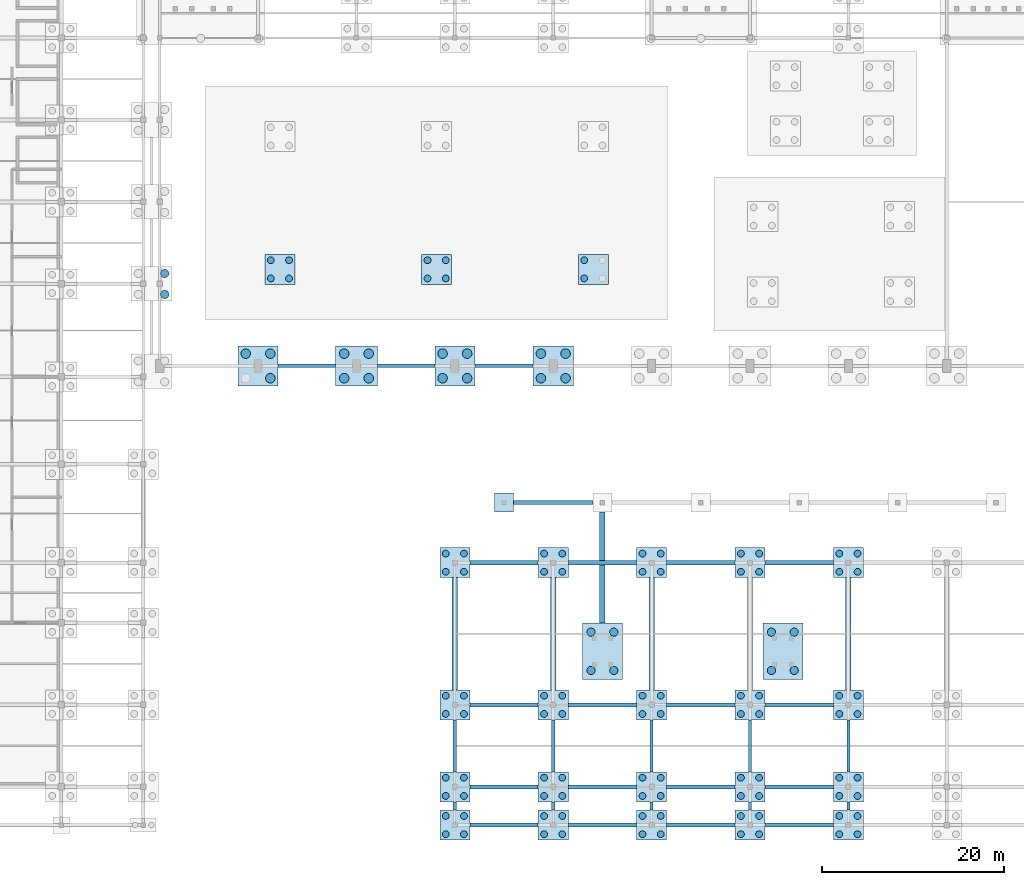
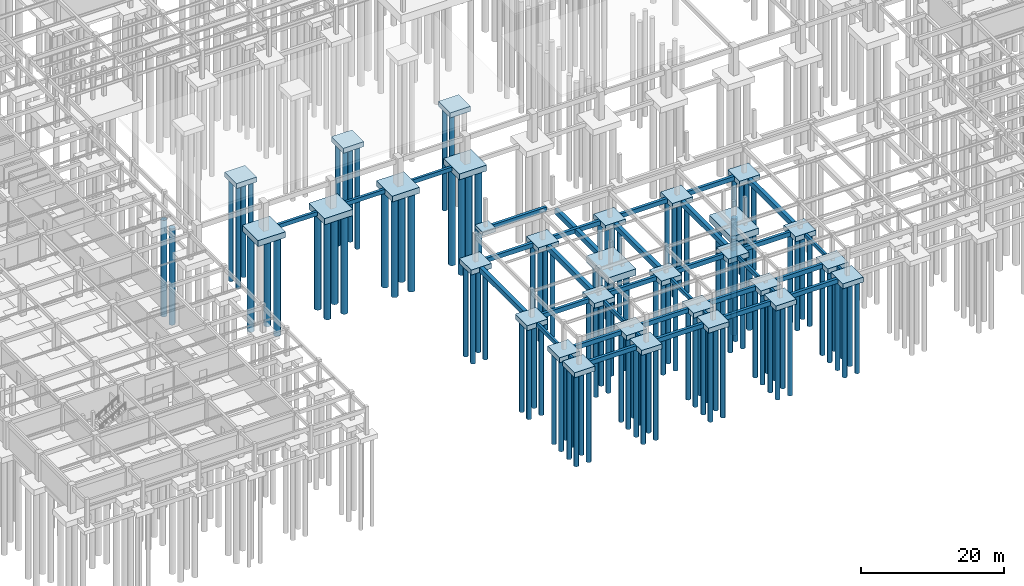
# One storey, part 3 of 33: 115 piles, 66 footings.
"""IFC4 building model written with IfcOpenShell, lengths in metres."""

import ifcopenshell
import ifcopenshell.guid

model = None  # the IFC model being written
_history = None  # IfcOwnerHistory: only IFC2X3 demands one
_inside = {}  # id of a spatial element -> (the spatial element, [elements in it])
_under = {}  # id of a project, library or spatial element -> (it, [spatial elements below it])
_declared = {}  # id of a project -> (the project, [libraries it declares])
_typed = {}  # id of a type object -> (the type object, [elements of that type])
_made_of = {}  # id of a material, layer set ... -> (it, [elements and type objects made of it])


def new_model(schema):
    """Start an empty IFC model of exactly this schema.

    Asked for "IFC4X3", IfcOpenShell would pick the latest addendum, in which some entities
    have other attributes; the version numbers below select the first issue.
    IFC2X3 requires an IfcOwnerHistory on every rooted entity: one is made here for all.
    """
    global model, _history
    if schema == "IFC4X3":
        model = ifcopenshell.file(schema_version=(4, 3, 0, 0))
    else:
        model = ifcopenshell.file(schema=schema)
    _inside.clear()
    _under.clear()
    _declared.clear()
    _typed.clear()
    _made_of.clear()
    _history = None
    if model.schema == "IFC2X3":
        org = make("IfcOrganization", Name="unknown")
        user = make(
            "IfcPersonAndOrganization",
            ThePerson=make("IfcPerson", FamilyName="unknown"),
            TheOrganization=org,
        )
        app = make(
            "IfcApplication",
            ApplicationDeveloper=org,
            Version="unknown",
            ApplicationFullName="unknown",
            ApplicationIdentifier="unknown",
        )
        _history = make(
            "IfcOwnerHistory",
            OwningUser=user,
            OwningApplication=app,
            ChangeAction="ADDED",
            CreationDate=0,
        )
    return model


def make(cls, **values):
    """One entity of the class cls with the attributes given. An attribute that is None is left unset."""
    return model.create_entity(
        cls, **{name: value for name, value in values.items() if value is not None}
    )


def rooted(cls, **values):
    """An entity with a GlobalId (a new one), such as an element, a storey or a relation."""
    return make(cls, GlobalId=ifcopenshell.guid.new(), OwnerHistory=_history, **values)


def si_unit(unit_type, name, prefix=None):
    """IfcSIUnit, for example si_unit("LENGTHUNIT", "METRE", prefix="MILLI")."""
    return make("IfcSIUnit", UnitType=unit_type, Prefix=prefix, Name=name)


def assignment(units):
    """IfcUnitAssignment: the units of a project."""
    return None if units is None else make("IfcUnitAssignment", Units=units)


def point(xyz):
    """IfcCartesianPoint."""
    return None if xyz is None else make("IfcCartesianPoint", Coordinates=xyz)


def direction(xyz):
    """IfcDirection."""
    return None if xyz is None else make("IfcDirection", DirectionRatios=xyz)


def frame(location, z_axis=None, x_axis=None):
    """IfcAxis2Placement3D, a coordinate frame: its origin and axes. An axis left out is left unset."""
    return make(
        "IfcAxis2Placement3D",
        Location=point(location),
        Axis=direction(z_axis),
        RefDirection=direction(x_axis),
    )


def frame_2d(location, x_axis=None):
    """IfcAxis2Placement2D, a coordinate frame in the plane: its origin and x axis."""
    return make(
        "IfcAxis2Placement2D", Location=point(location), RefDirection=direction(x_axis)
    )


def origin():
    """The frame at (0, 0, 0) with its axes left unset."""
    return frame((0.0, 0.0, 0.0))


def origin_2d():
    """The frame at (0, 0) in the plane with its x axis left unset."""
    return frame_2d((0.0, 0.0))


def place(relative_to, where):
    """IfcLocalPlacement: puts the frame where relative to a parent placement (None: the world)."""
    return make(
        "IfcLocalPlacement", PlacementRelTo=relative_to, RelativePlacement=where
    )


def context(
    kind, dimensions, precision=None, world=None, true_north=None, identifier=None
):
    """IfcGeometricRepresentationContext, for example the 3D "Model" context."""
    return make(
        "IfcGeometricRepresentationContext",
        ContextIdentifier=identifier,
        ContextType=kind,
        CoordinateSpaceDimension=dimensions,
        Precision=precision,
        WorldCoordinateSystem=world,
        TrueNorth=true_north,
    )


def subcontext(parent, identifier, kind, view, scale=None):
    """IfcGeometricRepresentationSubContext, for example "Body" below "Model"."""
    return make(
        "IfcGeometricRepresentationSubContext",
        ContextIdentifier=identifier,
        ContextType=kind,
        ParentContext=parent,
        TargetScale=scale,
        TargetView=view,
    )


def project(units=None, contexts=None):
    """IfcProject with its units and contexts."""
    return rooted(
        "IfcProject",
        Name="project",
        RepresentationContexts=contexts,
        UnitsInContext=assignment(units),
    )


def spatial(cls, under=None, at=None, **own):
    """A site, building, storey or space (cls), placed at a placement, below another one or the project."""
    s = rooted(cls, ObjectPlacement=at, **own)
    if under is not None:
        _under.setdefault(under.id(), (under, []))[1].append(s)
    return s


def profile(cls, at=None, kind="AREA", **sizes):
    """A parametric profile (cls). Its sizes go by their IFC names, for example OverallWidth=200.0."""
    return make(cls, ProfileType=kind, Position=at, **sizes)


def rectangle(**sizes):
    """IfcRectangleProfileDef."""
    return profile("IfcRectangleProfileDef", **sizes)


def circle(**sizes):
    """IfcCircleProfileDef."""
    return profile("IfcCircleProfileDef", **sizes)


def extrude(swept, where, along, depth):
    """IfcExtrudedAreaSolid: the profile swept, set in the frame where, extruded along a direction by depth."""
    return make(
        "IfcExtrudedAreaSolid",
        SweptArea=swept,
        Position=where,
        ExtrudedDirection=direction(along),
        Depth=depth,
    )


def shape(context_of_items, identifier, shape_type, items):
    """IfcShapeRepresentation: the items that make up one representation, for example the "Body"."""
    return make(
        "IfcShapeRepresentation",
        ContextOfItems=context_of_items,
        RepresentationIdentifier=identifier,
        RepresentationType=shape_type,
        Items=items,
    )


def material(Name=None, Category=None):
    """IfcMaterial."""
    return make("IfcMaterial", Name=Name, Category=Category)


def material_profile(
    of_material, cross_section, Name=None, Category=None, Priority=None
):
    """IfcMaterialProfile: a cross section and its material."""
    return make(
        "IfcMaterialProfile",
        Name=Name,
        Material=of_material,
        Profile=cross_section,
        Priority=Priority,
        Category=Category,
    )


def profile_set(profiles, Name=None, composite=None):
    """IfcMaterialProfileSet."""
    return make(
        "IfcMaterialProfileSet",
        Name=Name,
        MaterialProfiles=profiles,
        CompositeProfile=composite,
    )


def made_of(thing, what):
    """Note that an element or type object is made of a material, layer set ...; save() writes the relation."""
    if what is not None:
        _made_of.setdefault(what.id(), (what, []))[1].append(thing)
    return thing


def type_object(cls, material=None, **own):
    """A type object (cls), such as IfcWallType, which elements share."""
    return made_of(rooted(cls, **own), material)


def element(
    cls,
    number,
    at=None,
    inside=None,
    cuts=None,
    type_object=None,
    material=None,
    context=None,
    identifier="Body",
    shape_type=None,
    held_by="IfcProductDefinitionShape",
    body=None,
    shapes=None,
    **own,
):
    """One element of the class cls, such as IfcWall. Its Tag is "e" and its number.

    at: its placement. inside: the storey or other place that contains it. cuts: it is an
    opening in that element (IfcRelVoidsElement). A single representation is given by context,
    identifier, shape_type and body (its items); several are given by shapes. held_by: the class
    of the entity that holds the representations. save() writes the other relations.
    """
    e = rooted(cls, Tag="e%d" % number, ObjectPlacement=at, **own)
    if body is not None:
        shapes = [shape(context, identifier, shape_type, body)]
    if shapes is not None:
        e.Representation = make(held_by, Representations=shapes)
    if inside is not None:
        _inside.setdefault(inside.id(), (inside, []))[1].append(e)
    if cuts is not None:
        rooted(
            "IfcRelVoidsElement", RelatingBuildingElement=cuts, RelatedOpeningElement=e
        )
    if type_object is not None:
        _typed.setdefault(type_object.id(), (type_object, []))[1].append(e)
    return made_of(e, material)


def aggregate(whole, parts):
    """IfcRelAggregates: a whole, such as a stair, and the parts it consists of."""
    return rooted("IfcRelAggregates", RelatingObject=whole, RelatedObjects=parts)


def save(model, path):
    """Write the relations noted so far, then the file.

    IfcRelAggregates (storeys below a building ...), IfcRelContainedInSpatialStructure (elements
    in a storey), IfcRelDefinesByType, IfcRelAssociatesMaterial and IfcRelDeclares: one each for
    every whole, place, type object, material and project.
    """
    for whole, parts in _under.values():
        aggregate(whole, parts)
    for where, things in _inside.values():
        rooted(
            "IfcRelContainedInSpatialStructure",
            RelatedElements=things,
            RelatingStructure=where,
        )
    for kind, things in _typed.values():
        rooted("IfcRelDefinesByType", RelatedObjects=things, RelatingType=kind)
    for what, things in _made_of.values():
        rooted("IfcRelAssociatesMaterial", RelatedObjects=things, RelatingMaterial=what)
    for by, libraries in _declared.values():
        rooted("IfcRelDeclares", RelatingContext=by, RelatedDefinitions=libraries)
    model.write(path)


model = new_model("IFC4")

# Units and contexts
model_context = context("Model", 3, precision=1e-05, world=origin(), true_north=direction((0.0, 1.0)))
body_context = subcontext(model_context, "Body", "Model", "MODEL_VIEW")
ifc_project = project(units=[si_unit("LENGTHUNIT", "METRE"), si_unit("AREAUNIT", "SQUARE_METRE"), si_unit("VOLUMEUNIT", "CUBIC_METRE"), si_unit("PLANEANGLEUNIT", "RADIAN"), si_unit("MASSUNIT", "GRAM", prefix="KILO")], contexts=[model_context])

# Site, building, storey
site_placement = place(None, origin())
site = spatial("IfcSite", under=ifc_project, at=site_placement, CompositionType="ELEMENT")
building_placement = place(site_placement, origin())
building = spatial("IfcBuilding", under=site, at=building_placement, Name="Suirenkawa Promenade Aquatics Centre", CompositionType="ELEMENT")
storey_placement = place(building_placement, frame((0.0, 0.0, -4.800048828125)))
storey = spatial("IfcBuildingStorey", under=building, at=storey_placement, Name="B1", CompositionType="ELEMENT", Elevation=-4.800048828125)

# Footings
ifc_material = material(Name="Concrete M35", Category="concrete")
footing_type_1 = type_object("IfcFootingType", Name="FT-GB-350x650", PredefinedType="FOOTING_BEAM", material=ifc_material)
footing_1_placement = place(storey_placement, frame((79.199951171875, 2.10009765625, -0.64990234375), z_axis=(0.0, 0.0, 1.0), x_axis=(0.0, 1.0, 0.0)))
element("IfcFooting", 1, at=footing_1_placement, inside=storey, type_object=footing_type_1, Name="Ground tie beam GB-06 GB-0242", PredefinedType="FOOTING_BEAM", context=body_context, shape_type="SweptSolid", body=[
    extrude(rectangle(XDim=0.89990234375, YDim=0.35009765625, at=origin_2d()), origin(), (0.0, 0.0, 1.0), 0.64990234375),
])
footing_2_placement = place(storey_placement, frame((79.199951171875, 8.699951171875, -0.64990234375), z_axis=(0.0, 0.0, 1.0), x_axis=(0.0, 1.0, 0.0)))
element("IfcFooting", 2, at=footing_2_placement, inside=storey, type_object=footing_type_1, Name="Ground tie beam GB-06 GB-0243", PredefinedType="FOOTING_BEAM", context=body_context, shape_type="SweptSolid", body=[
    extrude(rectangle(XDim=5.699951171875, YDim=0.35009765625, at=origin_2d()), origin(), (0.0, 0.0, 1.0), 0.64990234375),
])
footing_3_placement = place(storey_placement, frame((90.0, 2.10009765625, -0.64990234375), z_axis=(0.0, 0.0, 1.0), x_axis=(0.0, 1.0, 0.0)))
element("IfcFooting", 3, at=footing_3_placement, inside=storey, type_object=footing_type_1, Name="Ground tie beam GB-06 GB-0249", PredefinedType="FOOTING_BEAM", context=body_context, shape_type="SweptSolid", body=[
    extrude(rectangle(XDim=0.89990234375, YDim=0.35009765625, at=origin_2d()), origin(), (0.0, 0.0, 1.0), 0.64990234375),
])
footing_4_placement = place(storey_placement, frame((90.0, 8.699951171875, -0.64990234375), z_axis=(0.0, 0.0, 1.0), x_axis=(0.0, 1.0, 0.0)))
element("IfcFooting", 4, at=footing_4_placement, inside=storey, type_object=footing_type_1, Name="Ground tie beam GB-06 GB-0250", PredefinedType="FOOTING_BEAM", context=body_context, shape_type="SweptSolid", body=[
    extrude(rectangle(XDim=5.699951171875, YDim=0.35009765625, at=origin_2d()), origin(), (0.0, 0.0, 1.0), 0.64990234375),
])
footing_5_placement = place(storey_placement, frame((100.800048828125, 2.10009765625, -0.64990234375), z_axis=(0.0, 0.0, 1.0), x_axis=(0.0, 1.0, 0.0)))
element("IfcFooting", 5, at=footing_5_placement, inside=storey, type_object=footing_type_1, Name="Ground tie beam GB-06 GB-0257", PredefinedType="FOOTING_BEAM", context=body_context, shape_type="SweptSolid", body=[
    extrude(rectangle(XDim=0.89990234375, YDim=0.35009765625, at=origin_2d()), origin(), (0.0, 0.0, 1.0), 0.64990234375),
])
footing_6_placement = place(storey_placement, frame((100.800048828125, 8.699951171875, -0.64990234375), z_axis=(0.0, 0.0, 1.0), x_axis=(0.0, 1.0, 0.0)))
element("IfcFooting", 6, at=footing_6_placement, inside=storey, type_object=footing_type_1, Name="Ground tie beam GB-06 GB-0258", PredefinedType="FOOTING_BEAM", context=body_context, shape_type="SweptSolid", body=[
    extrude(rectangle(XDim=5.699951171875, YDim=0.35009765625, at=origin_2d()), origin(), (0.0, 0.0, 1.0), 0.64990234375),
])
footing_7_placement = place(storey_placement, frame((111.60009765625, 2.10009765625, -0.64990234375), z_axis=(0.0, 0.0, 1.0), x_axis=(0.0, 1.0, 0.0)))
element("IfcFooting", 7, at=footing_7_placement, inside=storey, type_object=footing_type_1, Name="Ground tie beam GB-06 GB-0262", PredefinedType="FOOTING_BEAM", context=body_context, shape_type="SweptSolid", body=[
    extrude(rectangle(XDim=0.89990234375, YDim=0.35009765625, at=origin_2d()), origin(), (0.0, 0.0, 1.0), 0.64990234375),
])
footing_8_placement = place(storey_placement, frame((111.60009765625, 8.699951171875, -0.64990234375), z_axis=(0.0, 0.0, 1.0), x_axis=(0.0, 1.0, 0.0)))
element("IfcFooting", 8, at=footing_8_placement, inside=storey, type_object=footing_type_1, Name="Ground tie beam GB-06 GB-0263", PredefinedType="FOOTING_BEAM", context=body_context, shape_type="SweptSolid", body=[
    extrude(rectangle(XDim=5.699951171875, YDim=0.35009765625, at=origin_2d()), origin(), (0.0, 0.0, 1.0), 0.64990234375),
])
footing_9_placement = place(storey_placement, frame((122.39990234375, 2.10009765625, -0.64990234375), z_axis=(0.0, 0.0, 1.0), x_axis=(0.0, 1.0, 0.0)))
element("IfcFooting", 9, at=footing_9_placement, inside=storey, type_object=footing_type_1, Name="Ground tie beam GB-06 GB-0267", PredefinedType="FOOTING_BEAM", context=body_context, shape_type="SweptSolid", body=[
    extrude(rectangle(XDim=0.89990234375, YDim=0.35009765625, at=origin_2d()), origin(), (0.0, 0.0, 1.0), 0.64990234375),
])
footing_10_placement = place(storey_placement, frame((122.39990234375, 8.699951171875, -0.64990234375), z_axis=(0.0, 0.0, 1.0), x_axis=(0.0, 1.0, 0.0)))
element("IfcFooting", 10, at=footing_10_placement, inside=storey, type_object=footing_type_1, Name="Ground tie beam GB-06 GB-0268", PredefinedType="FOOTING_BEAM", context=body_context, shape_type="SweptSolid", body=[
    extrude(rectangle(XDim=5.699951171875, YDim=0.35009765625, at=origin_2d()), origin(), (0.0, 0.0, 1.0), 0.64990234375),
])
footing_type_2 = type_object("IfcFootingType", Name="FT-GB-400x700", PredefinedType="FOOTING_BEAM", material=ifc_material)
for number, where, z_axis, x_axis, name in (
    (11, (62.949951171875, 50.39990234375, -0.69970703125), (0.0, 0.0, 1.0), (1.0, 0.0, 0.0), "Ground tie beam GB-01 GB-0088"),
    (12, (73.85009765625, 50.39990234375, -0.69970703125), (0.0, 0.0, 1.0), (1.0, 0.0, 0.0), "Ground tie beam GB-01 GB-0089"),
):
    element("IfcFooting", number, at=place(storey_placement, frame(where, z_axis=z_axis, x_axis=x_axis)), inside=storey, type_object=footing_type_2, Name=name, PredefinedType="FOOTING_BEAM", context=body_context, shape_type="SweptSolid", body=[
        extrude(rectangle(XDim=6.300048828125, YDim=0.39990234375, at=origin_2d()), origin(), (0.0, 0.0, 1.0), 0.699951171875),
    ])
footing_11_placement = place(storey_placement, frame((84.60009765625, 50.39990234375, -0.69970703125), z_axis=(0.0, 0.0, 1.0), x_axis=(1.0, 0.0, 0.0)))
element("IfcFooting", 13, at=footing_11_placement, inside=storey, type_object=footing_type_2, Name="Ground tie beam GB-01 GB-0090", PredefinedType="FOOTING_BEAM", context=body_context, shape_type="SweptSolid", body=[
    extrude(rectangle(XDim=6.39990234375, YDim=0.39990234375, at=origin_2d()), origin(), (0.0, 0.0, 1.0), 0.699951171875),
])
footing_type_3 = type_object("IfcFootingType", Name="FT-GB-450x750", PredefinedType="FOOTING_BEAM", material=ifc_material)
for number, where, z_axis, x_axis, name in (
    (14, (84.60009765625, 0.0, -0.75), (0.0, 0.0, 1.0), (1.0, 0.0, 0.0), "Ground tie beam GB-02 GB-0006"),
    (15, (95.39990234375, 0.0, -0.75), (0.0, 0.0, 1.0), (1.0, 0.0, 0.0), "Ground tie beam GB-02 GB-0007"),
    (16, (106.199951171875, 0.0, -0.75), (0.0, 0.0, 1.0), (1.0, 0.0, 0.0), "Ground tie beam GB-02 GB-0008"),
    (17, (117.0, 0.0, -0.75), (0.0, 0.0, 1.0), (1.0, 0.0, 0.0), "Ground tie beam GB-02 GB-0009"),
    (18, (84.60009765625, 4.199951171875, -0.75), (0.0, 0.0, 1.0), (1.0, 0.0, 0.0), "Ground tie beam GB-02 GB-0018"),
    (19, (95.39990234375, 4.199951171875, -0.75), (0.0, 0.0, 1.0), (1.0, 0.0, 0.0), "Ground tie beam GB-02 GB-0019"),
    (20, (106.199951171875, 4.199951171875, -0.75), (0.0, 0.0, 1.0), (1.0, 0.0, 0.0), "Ground tie beam GB-02 GB-0020"),
    (21, (117.0, 4.199951171875, -0.75), (0.0, 0.0, 1.0), (1.0, 0.0, 0.0), "Ground tie beam GB-02 GB-0021"),
    (22, (84.60009765625, 13.199951171875, -0.75), (0.0, 0.0, 1.0), (1.0, 0.0, 0.0), "Ground tie beam GB-02 GB-0034"),
    (23, (95.39990234375, 13.199951171875, -0.75), (0.0, 0.0, 1.0), (1.0, 0.0, 0.0), "Ground tie beam GB-02 GB-0035"),
    (24, (106.199951171875, 13.199951171875, -0.75), (0.0, 0.0, 1.0), (1.0, 0.0, 0.0), "Ground tie beam GB-02 GB-0036"),
    (25, (117.0, 13.199951171875, -0.75), (0.0, 0.0, 1.0), (1.0, 0.0, 0.0), "Ground tie beam GB-02 GB-0037"),
    (26, (84.60009765625, 28.800048828125, -0.75), (0.0, 0.0, 1.0), (1.0, 0.0, 0.0), "Ground tie beam GB-02 GB-0056"),
    (27, (95.39990234375, 28.800048828125, -0.75), (0.0, 0.0, 1.0), (1.0, 0.0, 0.0), "Ground tie beam GB-02 GB-0057"),
    (28, (106.199951171875, 28.800048828125, -0.75), (0.0, 0.0, 1.0), (1.0, 0.0, 0.0), "Ground tie beam GB-02 GB-0058"),
    (29, (117.0, 28.800048828125, -0.75), (0.0, 0.0, 1.0), (1.0, 0.0, 0.0), "Ground tie beam GB-02 GB-0059"),
):
    element("IfcFooting", number, at=place(storey_placement, frame(where, z_axis=z_axis, x_axis=x_axis)), inside=storey, type_object=footing_type_3, Name=name, PredefinedType="FOOTING_BEAM", context=body_context, shape_type="SweptSolid", body=[
        extrude(rectangle(XDim=7.5, YDim=0.449951171875, at=origin_2d()), origin(), (0.0, 0.0, 1.0), 0.75),
    ])
footing_12_placement = place(storey_placement, frame((90.0, 35.39990234375, -0.75), z_axis=(0.0, 0.0, 1.0), x_axis=(1.0, 0.0, 0.0)))
element("IfcFooting", 30, at=footing_12_placement, inside=storey, type_object=footing_type_3, Name="Ground tie beam GB-02 GB-0067", PredefinedType="FOOTING_BEAM", context=body_context, shape_type="SweptSolid", body=[
    extrude(rectangle(XDim=8.699951171875, YDim=0.449951171875, at=origin_2d()), origin(), (0.0, 0.0, 1.0), 0.75),
])
footing_type_4 = type_object("IfcFootingType", Name="FT-GB-600x900", PredefinedType="FOOTING_BEAM", material=ifc_material)
for number, where, z_axis, x_axis, name in (
    (31, (79.199951171875, 21.0, -0.89990234375), (0.0, 0.0, 1.0), (0.0, 1.0, 0.0), "Ground tie beam GB-05 GB-0244"),
    (32, (90.0, 21.0, -0.89990234375), (0.0, 0.0, 1.0), (0.0, 1.0, 0.0), "Ground tie beam GB-05 GB-0251"),
):
    element("IfcFooting", number, at=place(storey_placement, frame(where, z_axis=z_axis, x_axis=x_axis)), inside=storey, type_object=footing_type_4, Name=name, PredefinedType="FOOTING_BEAM", context=body_context, shape_type="SweptSolid", body=[
        extrude(rectangle(XDim=12.300048828125, YDim=0.60009765625, at=origin_2d()), origin(), (0.0, 0.0, 1.0), 0.89990234375),
    ])
footing_13_placement = place(storey_placement, frame((95.39990234375, 28.262451171875, -0.89990234375), z_axis=(0.0, 0.0, 1.0), x_axis=(0.0, 1.0, 0.0)))
element("IfcFooting", 33, at=footing_13_placement, inside=storey, type_object=footing_type_4, Name="Ground tie beam GB-05 GB-0256", PredefinedType="FOOTING_BEAM", context=body_context, shape_type="SweptSolid", body=[
    extrude(rectangle(XDim=12.175048828125, YDim=0.60009765625, at=origin_2d()), origin(), (0.0, 0.0, 1.0), 0.89990234375),
])
for number, where, z_axis, x_axis, name in (
    (34, (100.800048828125, 21.0, -0.89990234375), (0.0, 0.0, 1.0), (0.0, 1.0, 0.0), "Ground tie beam GB-05 GB-0259"),
    (35, (111.60009765625, 21.0, -0.89990234375), (0.0, 0.0, 1.0), (0.0, 1.0, 0.0), "Ground tie beam GB-05 GB-0264"),
    (36, (122.39990234375, 21.0, -0.89990234375), (0.0, 0.0, 1.0), (0.0, 1.0, 0.0), "Ground tie beam GB-05 GB-0269"),
):
    element("IfcFooting", number, at=place(storey_placement, frame(where, z_axis=z_axis, x_axis=x_axis)), inside=storey, type_object=footing_type_4, Name=name, PredefinedType="FOOTING_BEAM", context=body_context, shape_type="SweptSolid", body=[
        extrude(rectangle(XDim=12.300048828125, YDim=0.60009765625, at=origin_2d()), origin(), (0.0, 0.0, 1.0), 0.89990234375),
    ])
footing_type_5 = type_object("IfcFootingType", Name="FT-PAD-2100x2100x650", PredefinedType="PAD_FOOTING", material=ifc_material)
footing_14_placement = place(storey_placement, frame((84.60009765625, 35.39990234375, -0.64990234375), z_axis=(0.0, 0.0, 1.0), x_axis=(1.0, 0.0, 0.0)))
element("IfcFooting", 37, at=footing_14_placement, inside=storey, type_object=footing_type_5, Name="Foundation PF-02 CAP-082", PredefinedType="PAD_FOOTING", context=body_context, shape_type="SweptSolid", body=[
    extrude(rectangle(XDim=2.10009765625, YDim=2.10009765625, at=origin_2d()), origin(), (0.0, 0.0, 1.0), 0.64990234375),
])
footing_type_6 = type_object("IfcFootingType", Name="FT-PC-3300x3300x850", PredefinedType="PILE_CAP", material=ifc_material)
for number, where, z_axis, x_axis, name in (
    (38, (79.199951171875, 0.0, -0.85009765625), (0.0, 0.0, 1.0), (1.0, 0.0, 0.0), "Foundation PC-02 CAP-007"),
    (39, (90.0, 0.0, -0.85009765625), (0.0, 0.0, 1.0), (1.0, 0.0, 0.0), "Foundation PC-02 CAP-008"),
    (40, (100.800048828125, 0.0, -0.85009765625), (0.0, 0.0, 1.0), (1.0, 0.0, 0.0), "Foundation PC-02 CAP-009"),
    (41, (111.60009765625, 0.0, -0.85009765625), (0.0, 0.0, 1.0), (1.0, 0.0, 0.0), "Foundation PC-02 CAP-010"),
    (42, (122.39990234375, 0.0, -0.85009765625), (0.0, 0.0, 1.0), (1.0, 0.0, 0.0), "Foundation PC-02 CAP-011"),
    (43, (79.199951171875, 4.199951171875, -0.85009765625), (0.0, 0.0, 1.0), (1.0, 0.0, 0.0), "Foundation PC-02 CAP-021"),
    (44, (90.0, 4.199951171875, -0.85009765625), (0.0, 0.0, 1.0), (1.0, 0.0, 0.0), "Foundation PC-02 CAP-022"),
    (45, (100.800048828125, 4.199951171875, -0.85009765625), (0.0, 0.0, 1.0), (1.0, 0.0, 0.0), "Foundation PC-02 CAP-023"),
    (46, (111.60009765625, 4.199951171875, -0.85009765625), (0.0, 0.0, 1.0), (1.0, 0.0, 0.0), "Foundation PC-02 CAP-024"),
    (47, (122.39990234375, 4.199951171875, -0.85009765625), (0.0, 0.0, 1.0), (1.0, 0.0, 0.0), "Foundation PC-02 CAP-025"),
    (48, (79.199951171875, 13.199951171875, -0.85009765625), (0.0, 0.0, 1.0), (1.0, 0.0, 0.0), "Foundation PC-02 CAP-039"),
    (49, (90.0, 13.199951171875, -0.85009765625), (0.0, 0.0, 1.0), (1.0, 0.0, 0.0), "Foundation PC-02 CAP-040"),
    (50, (100.800048828125, 13.199951171875, -0.85009765625), (0.0, 0.0, 1.0), (1.0, 0.0, 0.0), "Foundation PC-02 CAP-041"),
    (51, (111.60009765625, 13.199951171875, -0.85009765625), (0.0, 0.0, 1.0), (1.0, 0.0, 0.0), "Foundation PC-02 CAP-042"),
    (52, (122.39990234375, 13.199951171875, -0.85009765625), (0.0, 0.0, 1.0), (1.0, 0.0, 0.0), "Foundation PC-02 CAP-043"),
    (53, (79.199951171875, 28.800048828125, -0.85009765625), (0.0, 0.0, 1.0), (1.0, 0.0, 0.0), "Foundation PC-02 CAP-070"),
    (54, (90.0, 28.800048828125, -0.85009765625), (0.0, 0.0, 1.0), (1.0, 0.0, 0.0), "Foundation PC-02 CAP-071"),
    (55, (100.800048828125, 28.800048828125, -0.85009765625), (0.0, 0.0, 1.0), (1.0, 0.0, 0.0), "Foundation PC-02 CAP-072"),
    (56, (111.60009765625, 28.800048828125, -0.85009765625), (0.0, 0.0, 1.0), (1.0, 0.0, 0.0), "Foundation PC-02 CAP-073"),
    (57, (122.39990234375, 28.800048828125, -0.85009765625), (0.0, 0.0, 1.0), (1.0, 0.0, 0.0), "Foundation PC-02 CAP-074"),
):
    element("IfcFooting", number, at=place(storey_placement, frame(where, z_axis=z_axis, x_axis=x_axis)), inside=storey, type_object=footing_type_6, Name=name, PredefinedType="PILE_CAP", context=body_context, shape_type="SweptSolid", body=[
        extrude(rectangle(XDim=3.300048828125, YDim=3.300048828125, at=origin_2d()), origin(), (0.0, 0.0, 1.0), 0.85009765625),
    ])
footing_type_7 = type_object("IfcFootingType", Name="FT-PC-4400x4400x1000", PredefinedType="PILE_CAP", material=ifc_material)
for number, where, z_axis, x_axis, name in (
    (58, (57.60009765625, 50.39990234375, -1.0), (0.0, 0.0, 1.0), (1.0, 0.0, 0.0), "Foundation PC-06 CAP-110"),
    (59, (79.199951171875, 50.39990234375, -1.0), (0.0, 0.0, 1.0), (1.0, 0.0, 0.0), "Foundation PC-06 CAP-112"),
    (60, (90.0, 50.39990234375, -1.0), (0.0, 0.0, 1.0), (1.0, 0.0, 0.0), "Foundation PC-06 CAP-113"),
):
    element("IfcFooting", number, at=place(storey_placement, frame(where, z_axis=z_axis, x_axis=x_axis)), inside=storey, type_object=footing_type_7, Name=name, PredefinedType="PILE_CAP", context=body_context, shape_type="SweptSolid", body=[
        extrude(rectangle(XDim=4.39990234375, YDim=4.39990234375, at=origin_2d()), origin(), (0.0, 0.0, 1.0), 1.0),
    ])
footing_type_8 = type_object("IfcFootingType", Name="FT-PC-4600x4400x1050", PredefinedType="PILE_CAP", material=ifc_material)
footing_15_placement = place(storey_placement, frame((68.39990234375, 50.39990234375, -1.0498046875), z_axis=(0.0, 0.0, 1.0), x_axis=(1.0, 0.0, 0.0)))
element("IfcFooting", 61, at=footing_15_placement, inside=storey, type_object=footing_type_8, Name="Foundation PC-07 CAP-111", PredefinedType="PILE_CAP", context=body_context, shape_type="SweptSolid", body=[
    extrude(rectangle(XDim=4.60009765625, YDim=4.39990234375, at=origin_2d()), origin(), (0.0, 0.0, 1.0), 1.050048828125),
])
footing_type_9 = type_object("IfcFootingType", Name="FT-PC-COMP-3300x3300x850", PredefinedType="PILE_CAP", material=ifc_material)
for number, where, z_axis, x_axis, name in (
    (62, (60.0, 61.0, 1.050048828125), (0.0, 0.0, 1.0), (1.0, 0.0, 0.0), "Foundation PC-08 CAP-223"),
    (63, (77.199951171875, 61.0, 1.050048828125), (0.0, 0.0, 1.0), (1.0, 0.0, 0.0), "Foundation PC-08 CAP-225"),
    (64, (94.39990234375, 61.0, 1.050048828125), (0.0, 0.0, 1.0), (1.0, 0.0, 0.0), "Foundation PC-08 CAP-227"),
):
    element("IfcFooting", number, at=place(storey_placement, frame(where, z_axis=z_axis, x_axis=x_axis)), inside=storey, type_object=footing_type_9, Name=name, PredefinedType="PILE_CAP", context=body_context, shape_type="SweptSolid", body=[
        extrude(rectangle(XDim=3.300048828125, YDim=3.300048828125, at=origin_2d()), origin(), (0.0, 0.0, 1.0), 0.85009765625),
    ])
footing_type_10 = type_object("IfcFootingType", Name="FT-PCC-4400x6200x1100", PredefinedType="PILE_CAP", material=ifc_material)
for number, where, z_axis, x_axis, name in (
    (65, (95.39990234375, 19.074951171875, -1.10009765625), (0.0, 0.0, 1.0), (1.0, 0.0, 0.0), "Foundation PCC-04 CAP-051"),
    (66, (115.199951171875, 19.074951171875, -1.10009765625), (0.0, 0.0, 1.0), (1.0, 0.0, 0.0), "Foundation PCC-04 CAP-052"),
):
    element("IfcFooting", number, at=place(storey_placement, frame(where, z_axis=z_axis, x_axis=x_axis)), inside=storey, type_object=footing_type_10, Name=name, PredefinedType="PILE_CAP", context=body_context, shape_type="SweptSolid", body=[
        extrude(rectangle(XDim=4.39990234375, YDim=6.199951171875, at=origin_2d()), origin(), (0.0, 0.0, 1.0), 1.10009765625),
    ])

# Piles
ifc_material_profile_1 = material_profile(ifc_material, circle(Radius=0.52490234375, at=origin_2d()), Name="PILE D1050", Category="concrete")
ifc_profile_set_1 = profile_set([ifc_material_profile_1], Name="Concrete M35")
pile_type_1 = type_object("IfcPileType", Name="PT-BORED-1050", PredefinedType="BORED", material=ifc_profile_set_1)
for number, where, z_axis, x_axis, name in (
    (67, (56.25, 51.75, -0.89990234375), (0.0, 0.0, -1.0), (1.0, 0.0, 0.0), "Bored pile PL-04 PL-0398"),
    (68, (58.949951171875, 49.050048828125, -0.89990234375), (0.0, 0.0, -1.0), (1.0, 0.0, 0.0), "Bored pile PL-04 PL-0399"),
    (69, (58.949951171875, 51.75, -0.89990234375), (0.0, 0.0, -1.0), (1.0, 0.0, 0.0), "Bored pile PL-04 PL-0400"),
    (70, (67.050048828125, 49.050048828125, -0.89990234375), (0.0, 0.0, -1.0), (1.0, 0.0, 0.0), "Bored pile PL-04 PL-0401"),
    (71, (67.050048828125, 51.75, -0.89990234375), (0.0, 0.0, -1.0), (1.0, 0.0, 0.0), "Bored pile PL-04 PL-0402"),
    (72, (69.75, 49.050048828125, -0.89990234375), (0.0, 0.0, -1.0), (1.0, 0.0, 0.0), "Bored pile PL-04 PL-0403"),
    (73, (69.75, 51.75, -0.89990234375), (0.0, 0.0, -1.0), (1.0, 0.0, 0.0), "Bored pile PL-04 PL-0404"),
    (74, (77.85009765625, 49.050048828125, -0.89990234375), (0.0, 0.0, -1.0), (1.0, 0.0, 0.0), "Bored pile PL-04 PL-0405"),
    (75, (77.85009765625, 51.75, -0.89990234375), (0.0, 0.0, -1.0), (1.0, 0.0, 0.0), "Bored pile PL-04 PL-0406"),
    (76, (80.550048828125, 49.050048828125, -0.89990234375), (0.0, 0.0, -1.0), (1.0, 0.0, 0.0), "Bored pile PL-04 PL-0407"),
    (77, (80.550048828125, 51.75, -0.89990234375), (0.0, 0.0, -1.0), (1.0, 0.0, 0.0), "Bored pile PL-04 PL-0408"),
    (78, (88.64990234375, 49.050048828125, -0.89990234375), (0.0, 0.0, -1.0), (1.0, 0.0, 0.0), "Bored pile PL-04 PL-0409"),
    (79, (88.64990234375, 51.75, -0.89990234375), (0.0, 0.0, -1.0), (1.0, 0.0, 0.0), "Bored pile PL-04 PL-0410"),
    (80, (91.35009765625, 49.050048828125, -0.89990234375), (0.0, 0.0, -1.0), (1.0, 0.0, 0.0), "Bored pile PL-04 PL-0411"),
    (81, (91.35009765625, 51.75, -0.89990234375), (0.0, 0.0, -1.0), (1.0, 0.0, 0.0), "Bored pile PL-04 PL-0412"),
):
    element("IfcPile", number, at=place(storey_placement, frame(where, z_axis=z_axis, x_axis=x_axis)), inside=storey, type_object=pile_type_1, Name=name, PredefinedType="BORED", context=body_context, shape_type="SweptSolid", body=[
        extrude(circle(Radius=0.52490234375, at=origin_2d()), origin(), (0.0, 0.0, 1.0), 16.800048828125),
    ])
ifc_material_profile_2 = material_profile(ifc_material, circle(Radius=0.375, at=origin_2d()), Name="PILE D750", Category="concrete")
ifc_profile_set_2 = profile_set([ifc_material_profile_2], Name="Concrete M35")
pile_type_2 = type_object("IfcPileType", Name="PT-BORED-750", PredefinedType="BORED", material=ifc_profile_set_2)
for number, where, z_axis, x_axis, name in (
    (82, (78.199951171875, -1.0, -0.75), (0.0, 0.0, -1.0), (1.0, 0.0, 0.0), "Bored pile PL-02 PL-0007"),
    (83, (78.199951171875, 1.0, -0.75), (0.0, 0.0, -1.0), (1.0, 0.0, 0.0), "Bored pile PL-02 PL-0008"),
    (84, (80.199951171875, -1.0, -0.75), (0.0, 0.0, -1.0), (1.0, 0.0, 0.0), "Bored pile PL-02 PL-0009"),
    (85, (80.199951171875, 1.0, -0.75), (0.0, 0.0, -1.0), (1.0, 0.0, 0.0), "Bored pile PL-02 PL-0010"),
    (86, (89.0, -1.0, -0.75), (0.0, 0.0, -1.0), (1.0, 0.0, 0.0), "Bored pile PL-02 PL-0011"),
    (87, (89.0, 1.0, -0.75), (0.0, 0.0, -1.0), (1.0, 0.0, 0.0), "Bored pile PL-02 PL-0012"),
    (88, (91.0, -1.0, -0.75), (0.0, 0.0, -1.0), (1.0, 0.0, 0.0), "Bored pile PL-02 PL-0013"),
    (89, (91.0, 1.0, -0.75), (0.0, 0.0, -1.0), (1.0, 0.0, 0.0), "Bored pile PL-02 PL-0014"),
    (90, (99.800048828125, -1.0, -0.75), (0.0, 0.0, -1.0), (1.0, 0.0, 0.0), "Bored pile PL-02 PL-0015"),
    (91, (99.800048828125, 1.0, -0.75), (0.0, 0.0, -1.0), (1.0, 0.0, 0.0), "Bored pile PL-02 PL-0016"),
    (92, (101.800048828125, -1.0, -0.75), (0.0, 0.0, -1.0), (1.0, 0.0, 0.0), "Bored pile PL-02 PL-0017"),
    (93, (101.800048828125, 1.0, -0.75), (0.0, 0.0, -1.0), (1.0, 0.0, 0.0), "Bored pile PL-02 PL-0018"),
    (94, (110.60009765625, -1.0, -0.75), (0.0, 0.0, -1.0), (1.0, 0.0, 0.0), "Bored pile PL-02 PL-0019"),
    (95, (110.60009765625, 1.0, -0.75), (0.0, 0.0, -1.0), (1.0, 0.0, 0.0), "Bored pile PL-02 PL-0020"),
    (96, (112.60009765625, -1.0, -0.75), (0.0, 0.0, -1.0), (1.0, 0.0, 0.0), "Bored pile PL-02 PL-0021"),
    (97, (112.60009765625, 1.0, -0.75), (0.0, 0.0, -1.0), (1.0, 0.0, 0.0), "Bored pile PL-02 PL-0022"),
    (98, (121.39990234375, -1.0, -0.75), (0.0, 0.0, -1.0), (1.0, 0.0, 0.0), "Bored pile PL-02 PL-0023"),
    (99, (121.39990234375, 1.0, -0.75), (0.0, 0.0, -1.0), (1.0, 0.0, 0.0), "Bored pile PL-02 PL-0024"),
    (100, (123.39990234375, -1.0, -0.75), (0.0, 0.0, -1.0), (1.0, 0.0, 0.0), "Bored pile PL-02 PL-0025"),
    (101, (123.39990234375, 1.0, -0.75), (0.0, 0.0, -1.0), (1.0, 0.0, 0.0), "Bored pile PL-02 PL-0026"),
    (102, (78.199951171875, 3.199951171875, -0.75), (0.0, 0.0, -1.0), (1.0, 0.0, 0.0), "Bored pile PL-02 PL-0063"),
    (103, (78.199951171875, 5.199951171875, -0.75), (0.0, 0.0, -1.0), (1.0, 0.0, 0.0), "Bored pile PL-02 PL-0064"),
    (104, (80.199951171875, 3.199951171875, -0.75), (0.0, 0.0, -1.0), (1.0, 0.0, 0.0), "Bored pile PL-02 PL-0065"),
    (105, (80.199951171875, 5.199951171875, -0.75), (0.0, 0.0, -1.0), (1.0, 0.0, 0.0), "Bored pile PL-02 PL-0066"),
    (106, (89.0, 3.199951171875, -0.75), (0.0, 0.0, -1.0), (1.0, 0.0, 0.0), "Bored pile PL-02 PL-0067"),
    (107, (89.0, 5.199951171875, -0.75), (0.0, 0.0, -1.0), (1.0, 0.0, 0.0), "Bored pile PL-02 PL-0068"),
    (108, (91.0, 3.199951171875, -0.75), (0.0, 0.0, -1.0), (1.0, 0.0, 0.0), "Bored pile PL-02 PL-0069"),
    (109, (91.0, 5.199951171875, -0.75), (0.0, 0.0, -1.0), (1.0, 0.0, 0.0), "Bored pile PL-02 PL-0070"),
    (110, (99.800048828125, 3.199951171875, -0.75), (0.0, 0.0, -1.0), (1.0, 0.0, 0.0), "Bored pile PL-02 PL-0071"),
    (111, (99.800048828125, 5.199951171875, -0.75), (0.0, 0.0, -1.0), (1.0, 0.0, 0.0), "Bored pile PL-02 PL-0072"),
    (112, (101.800048828125, 3.199951171875, -0.75), (0.0, 0.0, -1.0), (1.0, 0.0, 0.0), "Bored pile PL-02 PL-0073"),
    (113, (101.800048828125, 5.199951171875, -0.75), (0.0, 0.0, -1.0), (1.0, 0.0, 0.0), "Bored pile PL-02 PL-0074"),
    (114, (110.60009765625, 3.199951171875, -0.75), (0.0, 0.0, -1.0), (1.0, 0.0, 0.0), "Bored pile PL-02 PL-0075"),
    (115, (110.60009765625, 5.199951171875, -0.75), (0.0, 0.0, -1.0), (1.0, 0.0, 0.0), "Bored pile PL-02 PL-0076"),
    (116, (112.60009765625, 3.199951171875, -0.75), (0.0, 0.0, -1.0), (1.0, 0.0, 0.0), "Bored pile PL-02 PL-0077"),
    (117, (112.60009765625, 5.199951171875, -0.75), (0.0, 0.0, -1.0), (1.0, 0.0, 0.0), "Bored pile PL-02 PL-0078"),
    (118, (121.39990234375, 3.199951171875, -0.75), (0.0, 0.0, -1.0), (1.0, 0.0, 0.0), "Bored pile PL-02 PL-0079"),
    (119, (121.39990234375, 5.199951171875, -0.75), (0.0, 0.0, -1.0), (1.0, 0.0, 0.0), "Bored pile PL-02 PL-0080"),
    (120, (123.39990234375, 3.199951171875, -0.75), (0.0, 0.0, -1.0), (1.0, 0.0, 0.0), "Bored pile PL-02 PL-0081"),
    (121, (123.39990234375, 5.199951171875, -0.75), (0.0, 0.0, -1.0), (1.0, 0.0, 0.0), "Bored pile PL-02 PL-0082"),
    (122, (78.199951171875, 12.199951171875, -0.75), (0.0, 0.0, -1.0), (1.0, 0.0, 0.0), "Bored pile PL-02 PL-0135"),
    (123, (78.199951171875, 14.199951171875, -0.75), (0.0, 0.0, -1.0), (1.0, 0.0, 0.0), "Bored pile PL-02 PL-0136"),
    (124, (80.199951171875, 12.199951171875, -0.75), (0.0, 0.0, -1.0), (1.0, 0.0, 0.0), "Bored pile PL-02 PL-0137"),
    (125, (80.199951171875, 14.199951171875, -0.75), (0.0, 0.0, -1.0), (1.0, 0.0, 0.0), "Bored pile PL-02 PL-0138"),
    (126, (89.0, 12.199951171875, -0.75), (0.0, 0.0, -1.0), (1.0, 0.0, 0.0), "Bored pile PL-02 PL-0139"),
    (127, (89.0, 14.199951171875, -0.75), (0.0, 0.0, -1.0), (1.0, 0.0, 0.0), "Bored pile PL-02 PL-0140"),
    (128, (91.0, 12.199951171875, -0.75), (0.0, 0.0, -1.0), (1.0, 0.0, 0.0), "Bored pile PL-02 PL-0141"),
    (129, (91.0, 14.199951171875, -0.75), (0.0, 0.0, -1.0), (1.0, 0.0, 0.0), "Bored pile PL-02 PL-0142"),
    (130, (99.800048828125, 12.199951171875, -0.75), (0.0, 0.0, -1.0), (1.0, 0.0, 0.0), "Bored pile PL-02 PL-0143"),
    (131, (99.800048828125, 14.199951171875, -0.75), (0.0, 0.0, -1.0), (1.0, 0.0, 0.0), "Bored pile PL-02 PL-0144"),
    (132, (101.800048828125, 12.199951171875, -0.75), (0.0, 0.0, -1.0), (1.0, 0.0, 0.0), "Bored pile PL-02 PL-0145"),
    (133, (101.800048828125, 14.199951171875, -0.75), (0.0, 0.0, -1.0), (1.0, 0.0, 0.0), "Bored pile PL-02 PL-0146"),
    (134, (110.60009765625, 12.199951171875, -0.75), (0.0, 0.0, -1.0), (1.0, 0.0, 0.0), "Bored pile PL-02 PL-0147"),
    (135, (110.60009765625, 14.199951171875, -0.75), (0.0, 0.0, -1.0), (1.0, 0.0, 0.0), "Bored pile PL-02 PL-0148"),
    (136, (112.60009765625, 12.199951171875, -0.75), (0.0, 0.0, -1.0), (1.0, 0.0, 0.0), "Bored pile PL-02 PL-0149"),
    (137, (112.60009765625, 14.199951171875, -0.75), (0.0, 0.0, -1.0), (1.0, 0.0, 0.0), "Bored pile PL-02 PL-0150"),
    (138, (121.39990234375, 12.199951171875, -0.75), (0.0, 0.0, -1.0), (1.0, 0.0, 0.0), "Bored pile PL-02 PL-0151"),
    (139, (121.39990234375, 14.199951171875, -0.75), (0.0, 0.0, -1.0), (1.0, 0.0, 0.0), "Bored pile PL-02 PL-0152"),
    (140, (123.39990234375, 12.199951171875, -0.75), (0.0, 0.0, -1.0), (1.0, 0.0, 0.0), "Bored pile PL-02 PL-0153"),
    (141, (123.39990234375, 14.199951171875, -0.75), (0.0, 0.0, -1.0), (1.0, 0.0, 0.0), "Bored pile PL-02 PL-0154"),
    (142, (78.199951171875, 27.800048828125, -0.75), (0.0, 0.0, -1.0), (1.0, 0.0, 0.0), "Bored pile PL-02 PL-0261"),
    (143, (78.199951171875, 29.800048828125, -0.75), (0.0, 0.0, -1.0), (1.0, 0.0, 0.0), "Bored pile PL-02 PL-0262"),
    (144, (80.199951171875, 27.800048828125, -0.75), (0.0, 0.0, -1.0), (1.0, 0.0, 0.0), "Bored pile PL-02 PL-0263"),
    (145, (80.199951171875, 29.800048828125, -0.75), (0.0, 0.0, -1.0), (1.0, 0.0, 0.0), "Bored pile PL-02 PL-0264"),
    (146, (89.0, 27.800048828125, -0.75), (0.0, 0.0, -1.0), (1.0, 0.0, 0.0), "Bored pile PL-02 PL-0265"),
    (147, (89.0, 29.800048828125, -0.75), (0.0, 0.0, -1.0), (1.0, 0.0, 0.0), "Bored pile PL-02 PL-0266"),
    (148, (91.0, 27.800048828125, -0.75), (0.0, 0.0, -1.0), (1.0, 0.0, 0.0), "Bored pile PL-02 PL-0267"),
    (149, (91.0, 29.800048828125, -0.75), (0.0, 0.0, -1.0), (1.0, 0.0, 0.0), "Bored pile PL-02 PL-0268"),
    (150, (99.800048828125, 27.800048828125, -0.75), (0.0, 0.0, -1.0), (1.0, 0.0, 0.0), "Bored pile PL-02 PL-0269"),
    (151, (99.800048828125, 29.800048828125, -0.75), (0.0, 0.0, -1.0), (1.0, 0.0, 0.0), "Bored pile PL-02 PL-0270"),
    (152, (101.800048828125, 27.800048828125, -0.75), (0.0, 0.0, -1.0), (1.0, 0.0, 0.0), "Bored pile PL-02 PL-0271"),
    (153, (101.800048828125, 29.800048828125, -0.75), (0.0, 0.0, -1.0), (1.0, 0.0, 0.0), "Bored pile PL-02 PL-0272"),
    (154, (110.60009765625, 27.800048828125, -0.75), (0.0, 0.0, -1.0), (1.0, 0.0, 0.0), "Bored pile PL-02 PL-0273"),
    (155, (110.60009765625, 29.800048828125, -0.75), (0.0, 0.0, -1.0), (1.0, 0.0, 0.0), "Bored pile PL-02 PL-0274"),
    (156, (112.60009765625, 27.800048828125, -0.75), (0.0, 0.0, -1.0), (1.0, 0.0, 0.0), "Bored pile PL-02 PL-0275"),
    (157, (112.60009765625, 29.800048828125, -0.75), (0.0, 0.0, -1.0), (1.0, 0.0, 0.0), "Bored pile PL-02 PL-0276"),
    (158, (121.39990234375, 27.800048828125, -0.75), (0.0, 0.0, -1.0), (1.0, 0.0, 0.0), "Bored pile PL-02 PL-0277"),
    (159, (121.39990234375, 29.800048828125, -0.75), (0.0, 0.0, -1.0), (1.0, 0.0, 0.0), "Bored pile PL-02 PL-0278"),
    (160, (123.39990234375, 27.800048828125, -0.75), (0.0, 0.0, -1.0), (1.0, 0.0, 0.0), "Bored pile PL-02 PL-0279"),
    (161, (123.39990234375, 29.800048828125, -0.75), (0.0, 0.0, -1.0), (1.0, 0.0, 0.0), "Bored pile PL-02 PL-0280"),
):
    element("IfcPile", number, at=place(storey_placement, frame(where, z_axis=z_axis, x_axis=x_axis)), inside=storey, type_object=pile_type_2, Name=name, PredefinedType="BORED", context=body_context, shape_type="SweptSolid", body=[
        extrude(circle(Radius=0.375, at=origin_2d()), origin(), (0.0, 0.0, 1.0), 15.60009765625),
    ])
for number, where, z_axis, x_axis, name in (
    (162, (59.0, 60.0, 1.150146484375), (0.0, 0.0, -1.0), (1.0, 0.0, 0.0), "Bored pile PL-02 PL-0855"),
    (163, (59.0, 62.0, 1.150146484375), (0.0, 0.0, -1.0), (1.0, 0.0, 0.0), "Bored pile PL-02 PL-0856"),
    (164, (61.0, 60.0, 1.150146484375), (0.0, 0.0, -1.0), (1.0, 0.0, 0.0), "Bored pile PL-02 PL-0857"),
    (165, (61.0, 62.0, 1.150146484375), (0.0, 0.0, -1.0), (1.0, 0.0, 0.0), "Bored pile PL-02 PL-0858"),
    (166, (76.199951171875, 60.0, 1.150146484375), (0.0, 0.0, -1.0), (1.0, 0.0, 0.0), "Bored pile PL-02 PL-0863"),
    (167, (76.199951171875, 62.0, 1.150146484375), (0.0, 0.0, -1.0), (1.0, 0.0, 0.0), "Bored pile PL-02 PL-0864"),
    (168, (78.199951171875, 60.0, 1.150146484375), (0.0, 0.0, -1.0), (1.0, 0.0, 0.0), "Bored pile PL-02 PL-0865"),
    (169, (78.199951171875, 62.0, 1.150146484375), (0.0, 0.0, -1.0), (1.0, 0.0, 0.0), "Bored pile PL-02 PL-0866"),
    (170, (93.39990234375, 60.0, 1.150146484375), (0.0, 0.0, -1.0), (1.0, 0.0, 0.0), "Bored pile PL-02 PL-0871"),
    (171, (93.39990234375, 62.0, 1.150146484375), (0.0, 0.0, -1.0), (1.0, 0.0, 0.0), "Bored pile PL-02 PL-0872"),
):
    element("IfcPile", number, at=place(storey_placement, frame(where, z_axis=z_axis, x_axis=x_axis)), inside=storey, type_object=pile_type_2, Name=name, PredefinedType="BORED", context=body_context, shape_type="SweptSolid", body=[
        extrude(circle(Radius=0.375, at=origin_2d()), origin(), (0.0, 0.0, 1.0), 17.5),
    ])
ifc_material_profile_3 = material_profile(ifc_material, circle(Radius=0.449951171875, at=origin_2d()), Name="PILE D900", Category="concrete")
ifc_profile_set_3 = profile_set([ifc_material_profile_3], Name="Concrete M35")
pile_type_3 = type_object("IfcPileType", Name="PT-BORED-900B", PredefinedType="BORED", material=ifc_profile_set_3)
for number, where, z_axis, x_axis, name in (
    (172, (94.14990234375, 16.97509765625, -1.0), (0.0, 0.0, -1.0), (1.0, 0.0, 0.0), "Bored pile PL-03B PL-0183"),
    (173, (94.14990234375, 21.175048828125, -1.0), (0.0, 0.0, -1.0), (1.0, 0.0, 0.0), "Bored pile PL-03B PL-0184"),
    (174, (96.64990234375, 16.97509765625, -1.0), (0.0, 0.0, -1.0), (1.0, 0.0, 0.0), "Bored pile PL-03B PL-0185"),
    (175, (96.64990234375, 21.175048828125, -1.0), (0.0, 0.0, -1.0), (1.0, 0.0, 0.0), "Bored pile PL-03B PL-0186"),
    (176, (113.949951171875, 16.97509765625, -1.0), (0.0, 0.0, -1.0), (1.0, 0.0, 0.0), "Bored pile PL-03B PL-0187"),
    (177, (113.949951171875, 21.175048828125, -1.0), (0.0, 0.0, -1.0), (1.0, 0.0, 0.0), "Bored pile PL-03B PL-0188"),
    (178, (116.449951171875, 16.97509765625, -1.0), (0.0, 0.0, -1.0), (1.0, 0.0, 0.0), "Bored pile PL-03B PL-0189"),
    (179, (116.449951171875, 21.175048828125, -1.0), (0.0, 0.0, -1.0), (1.0, 0.0, 0.0), "Bored pile PL-03B PL-0190"),
    (180, (47.35009765625, 58.25, -0.949951171875), (0.0, 0.0, -1.0), (1.0, 0.0, 0.0), "Bored pile PL-03B PL-0455"),
    (181, (47.35009765625, 60.550048828125, -0.949951171875), (0.0, 0.0, -1.0), (1.0, 0.0, 0.0), "Bored pile PL-03B PL-0456"),
):
    element("IfcPile", number, at=place(storey_placement, frame(where, z_axis=z_axis, x_axis=x_axis)), inside=storey, type_object=pile_type_3, Name=name, PredefinedType="BORED", context=body_context, shape_type="SweptSolid", body=[
        extrude(circle(Radius=0.449951171875, at=origin_2d()), origin(), (0.0, 0.0, 1.0), 16.39990234375),
    ])

save(model, "model.ifc")
